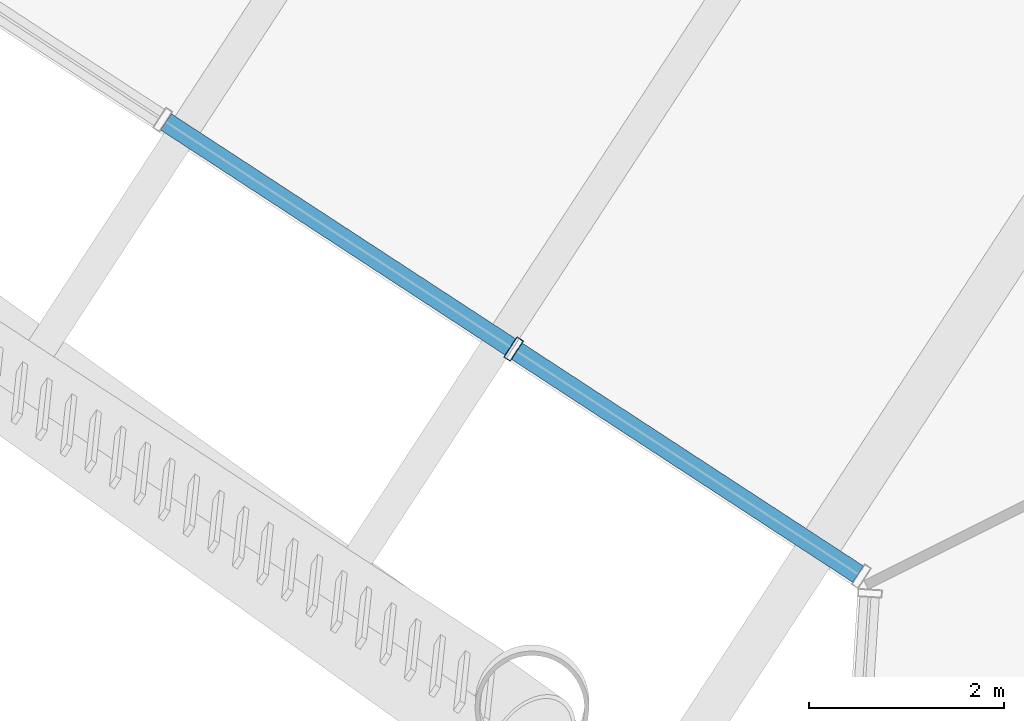
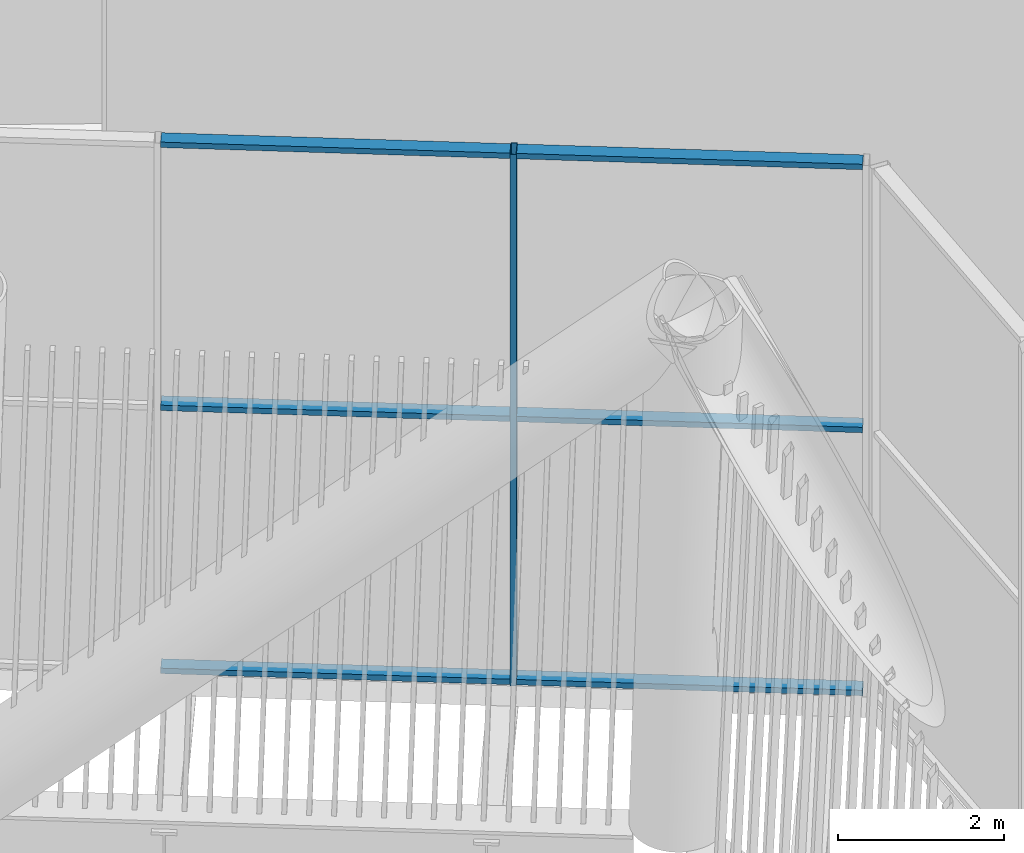
# One storey, part 15 of 63: 7 members, 1 element without a shape of its own.
"""IFC4 building model written with IfcOpenShell, lengths in metres."""

from ifc_helpers import new_model, si_unit, direction, frame, origin, origin_2d, place, context, subcontext, project, spatial, hollow_rectangle, extrude, material, layer, layer_set, material_profile, profile_set, type_object, element, aggregate, save


model = new_model("IFC4")

# Units and contexts
model_context = context("Model", 3, precision=1e-05, world=origin(), true_north=direction((0.0, 1.0)))
body_context = subcontext(model_context, "Body", "Model", "MODEL_VIEW")
ifc_project = project(units=[si_unit("LENGTHUNIT", "METRE"), si_unit("AREAUNIT", "SQUARE_METRE"), si_unit("VOLUMEUNIT", "CUBIC_METRE"), si_unit("PLANEANGLEUNIT", "RADIAN"), si_unit("MASSUNIT", "GRAM", prefix="KILO")], contexts=[model_context])

# Site, building, storey
site_placement = place(None, origin())
site = spatial("IfcSite", under=ifc_project, at=site_placement, CompositionType="ELEMENT")
building_placement = place(site_placement, origin())
building = spatial("IfcBuilding", under=site, at=building_placement, Name="Tarsis Ring Headquarters", CompositionType="ELEMENT")
storey_placement = place(building_placement, frame((0.0, 0.0, 139.60009765625)))
storey = spatial("IfcBuildingStorey", under=building, at=storey_placement, Name="L32", CompositionType="ELEMENT", Elevation=139.60009765625)

# Curtain wall, members
ifc_material_1 = material(Name="Aluminium curtain wall", Category="aluminium")
ifc_layer = layer(ifc_material_1, 0.25)
ifc_layer_set = layer_set([ifc_layer], Name="Curtain wall sky lobby")
curtain_wall_type = type_object("IfcCurtainWallType", Name="Curtain wall sky lobby", PredefinedType="NOTDEFINED", material=ifc_layer_set)
curtain_wall_placement = place(storey_placement, origin())
curtain_wall = element("IfcCurtainWall", 1, at=curtain_wall_placement, inside=storey, type_object=curtain_wall_type, Name="Curtain wall L32-01", PredefinedType="NOTDEFINED")
ifc_material_2 = material(Name="Aluminium mullion", Category="aluminium")
ifc_material_profile_1 = material_profile(ifc_material_2, hollow_rectangle(XDim=0.25, YDim=0.080078125, WallThickness=0.0048828125, at=origin_2d()), Name="RHS 250x80x5")
ifc_profile_set_1 = profile_set([ifc_material_profile_1], Name="Aluminium mullion")
member_type_1 = type_object("IfcMemberType", Name="Curtain wall mullion sky lobby RHS 250x80x5", PredefinedType="MULLION", material=ifc_profile_set_1)
member_1_placement = place(storey_placement, frame((-29.211669921875, 4.9013671875, 0.0), z_axis=(0.0, 0.0, 1.0), x_axis=(0.546978993115, 0.837146331946, 0.0)))
member_1 = element("IfcMember", 2, at=member_1_placement, type_object=member_type_1, Name="CW-S mullion 3", PredefinedType="MULLION", context=body_context, shape_type="SweptSolid", body=[
    extrude(hollow_rectangle(XDim=0.25, YDim=0.080078125, WallThickness=0.0048828125, at=origin_2d()), origin(), (0.0, 0.0, 1.0), 7.83984375),
])
ifc_material_3 = material(Name="Aluminium transom", Category="aluminium")
ifc_material_profile_2 = material_profile(ifc_material_3, hollow_rectangle(XDim=0.199951171875, YDim=0.080078125, WallThickness=0.0048828125, at=origin_2d()), Name="RHS 200x80x5")
ifc_profile_set_2 = profile_set([ifc_material_profile_2], Name="Aluminium transom")
member_type_2 = type_object("IfcMemberType", Name="Curtain wall transom sky lobby RHS 200x80x5", PredefinedType="USERDEFINED", material=ifc_profile_set_2)
member_2_placement = place(storey_placement, frame((-32.783935546875, 7.235595703125, 0.039794921875), z_axis=(0.837141517432, -0.546986361614, 0.0), x_axis=(0.546986361614, 0.837141517432, 0.0)))
member_2 = element("IfcMember", 3, at=member_2_placement, type_object=member_type_2, Name="CW-S transom 2.1", ObjectType="TRANSOM", PredefinedType="USERDEFINED", context=body_context, shape_type="SweptSolid", body=[
    extrude(hollow_rectangle(XDim=0.199951171875, YDim=0.080078125, WallThickness=0.0048828125, at=origin_2d()), origin(), (0.0, 0.0, 1.0), 4.227294921875),
])
member_3_placement = place(storey_placement, frame((-32.783935546875, 7.235595703125, 3.919921875), z_axis=(0.837141517432, -0.546986361614, 0.0), x_axis=(0.546986361614, 0.837141517432, 0.0)))
member_3 = element("IfcMember", 4, at=member_3_placement, type_object=member_type_2, Name="CW-S transom 2.2", ObjectType="TRANSOM", PredefinedType="USERDEFINED", context=body_context, shape_type="SweptSolid", body=[
    extrude(hollow_rectangle(XDim=0.199951171875, YDim=0.080078125, WallThickness=0.0048828125, at=origin_2d()), origin(), (0.0, 0.0, 1.0), 4.227294921875),
])
member_4_placement = place(storey_placement, frame((-32.783935546875, 7.235595703125, 7.7998046875), z_axis=(0.837141517432, -0.546986361614, 0.0), x_axis=(0.546986361614, 0.837141517432, 0.0)))
member_4 = element("IfcMember", 5, at=member_4_placement, type_object=member_type_2, Name="CW-S transom 2.3", ObjectType="TRANSOM", PredefinedType="USERDEFINED", context=body_context, shape_type="SweptSolid", body=[
    extrude(hollow_rectangle(XDim=0.199951171875, YDim=0.080078125, WallThickness=0.0048828125, at=origin_2d()), origin(), (0.0, 0.0, 1.0), 4.227294921875),
])
member_5_placement = place(storey_placement, frame((-29.17822265625, 4.87939453125, 0.039794921875), z_axis=(0.837171895149, -0.546939866871, 0.0), x_axis=(0.546939866871, 0.837171895149, 0.0)))
member_5 = element("IfcMember", 6, at=member_5_placement, type_object=member_type_2, Name="CW-S transom 3.1", ObjectType="TRANSOM", PredefinedType="USERDEFINED", context=body_context, shape_type="SweptSolid", body=[
    extrude(hollow_rectangle(XDim=0.199951171875, YDim=0.080078125, WallThickness=0.0048828125, at=origin_2d()), origin(), (0.0, 0.0, 1.0), 4.1875),
])
member_6_placement = place(storey_placement, frame((-29.17822265625, 4.87939453125, 3.919921875), z_axis=(0.837171895149, -0.546939866871, 0.0), x_axis=(0.546939866871, 0.837171895149, 0.0)))
member_6 = element("IfcMember", 7, at=member_6_placement, type_object=member_type_2, Name="CW-S transom 3.2", ObjectType="TRANSOM", PredefinedType="USERDEFINED", context=body_context, shape_type="SweptSolid", body=[
    extrude(hollow_rectangle(XDim=0.199951171875, YDim=0.080078125, WallThickness=0.0048828125, at=origin_2d()), origin(), (0.0, 0.0, 1.0), 4.1875),
])
member_7_placement = place(storey_placement, frame((-29.17822265625, 4.87939453125, 7.7998046875), z_axis=(0.837171895149, -0.546939866871, 0.0), x_axis=(0.546939866871, 0.837171895149, 0.0)))
member_7 = element("IfcMember", 8, at=member_7_placement, type_object=member_type_2, Name="CW-S transom 3.3", ObjectType="TRANSOM", PredefinedType="USERDEFINED", context=body_context, shape_type="SweptSolid", body=[
    extrude(hollow_rectangle(XDim=0.199951171875, YDim=0.080078125, WallThickness=0.0048828125, at=origin_2d()), origin(), (0.0, 0.0, 1.0), 4.1875),
])
aggregate(curtain_wall, [member_1, member_2, member_3, member_4, member_5, member_6, member_7])

save(model, "model.ifc")
